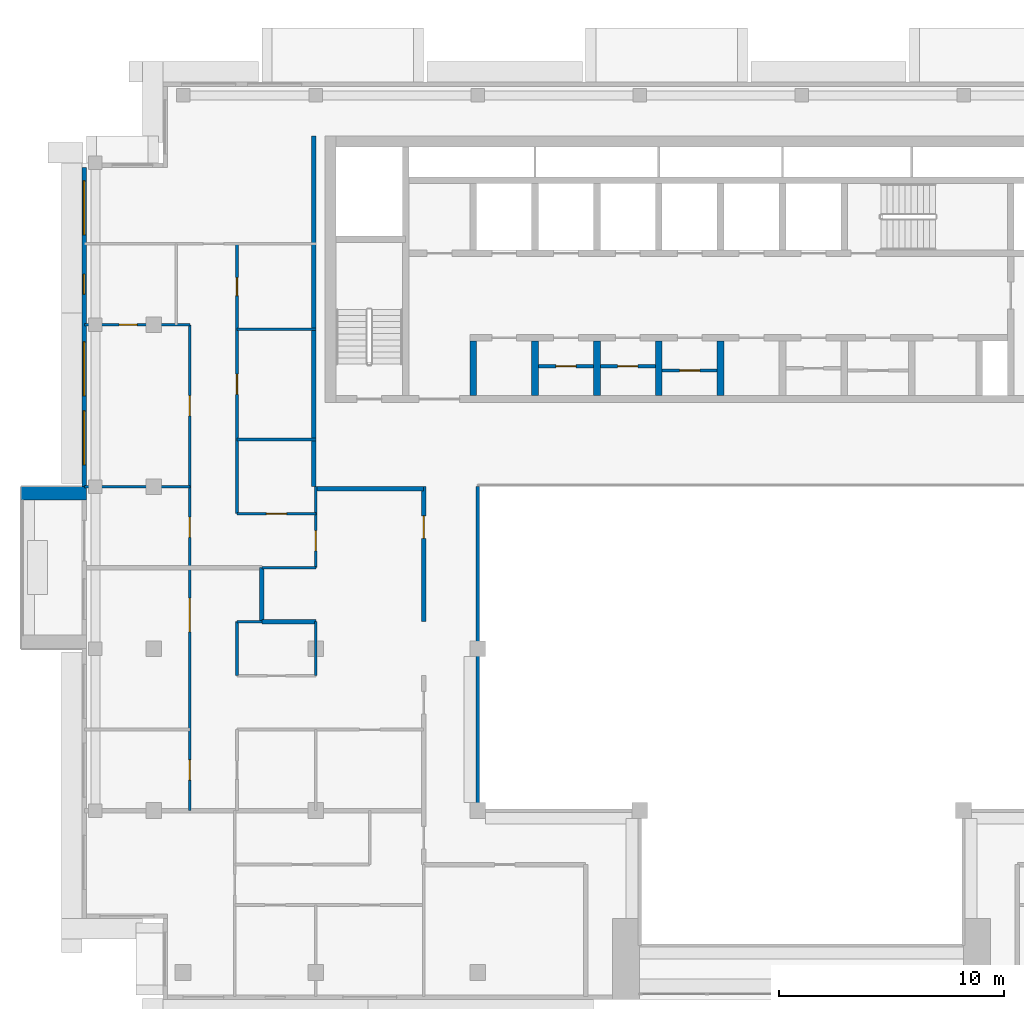
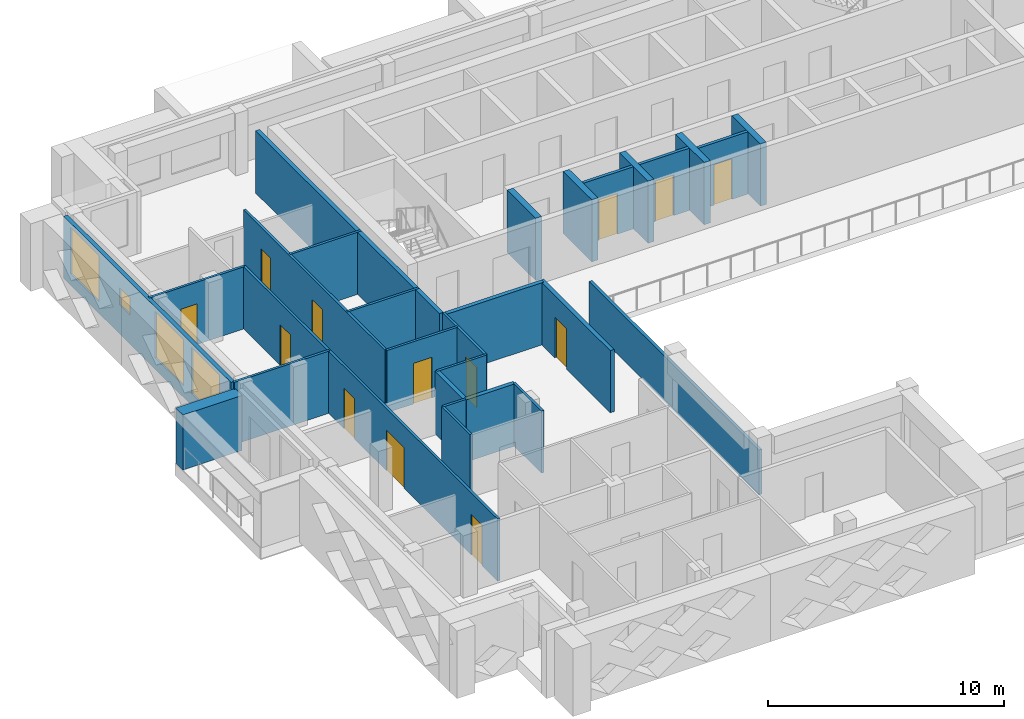
# One storey, part 7 of 18: 28 walls, 13 doors, 4 windows, 17 openings.
"""IFC4 building model written with IfcOpenShell, lengths in metres."""

import ifcopenshell
import ifcopenshell.guid

model = None  # the IFC model being written
_history = None  # IfcOwnerHistory: only IFC2X3 demands one
_inside = {}  # id of a spatial element -> (the spatial element, [elements in it])
_under = {}  # id of a project, library or spatial element -> (it, [spatial elements below it])
_declared = {}  # id of a project -> (the project, [libraries it declares])
_typed = {}  # id of a type object -> (the type object, [elements of that type])
_made_of = {}  # id of a material, layer set ... -> (it, [elements and type objects made of it])


def new_model(schema):
    """Start an empty IFC model of exactly this schema.

    Asked for "IFC4X3", IfcOpenShell would pick the latest addendum, in which some entities
    have other attributes; the version numbers below select the first issue.
    IFC2X3 requires an IfcOwnerHistory on every rooted entity: one is made here for all.
    """
    global model, _history
    if schema == "IFC4X3":
        model = ifcopenshell.file(schema_version=(4, 3, 0, 0))
    else:
        model = ifcopenshell.file(schema=schema)
    _inside.clear()
    _under.clear()
    _declared.clear()
    _typed.clear()
    _made_of.clear()
    _history = None
    if model.schema == "IFC2X3":
        org = make("IfcOrganization", Name="unknown")
        user = make(
            "IfcPersonAndOrganization",
            ThePerson=make("IfcPerson", FamilyName="unknown"),
            TheOrganization=org,
        )
        app = make(
            "IfcApplication",
            ApplicationDeveloper=org,
            Version="unknown",
            ApplicationFullName="unknown",
            ApplicationIdentifier="unknown",
        )
        _history = make(
            "IfcOwnerHistory",
            OwningUser=user,
            OwningApplication=app,
            ChangeAction="ADDED",
            CreationDate=0,
        )
    return model


def make(cls, **values):
    """One entity of the class cls with the attributes given. An attribute that is None is left unset."""
    return model.create_entity(
        cls, **{name: value for name, value in values.items() if value is not None}
    )


def rooted(cls, **values):
    """An entity with a GlobalId (a new one), such as an element, a storey or a relation."""
    return make(cls, GlobalId=ifcopenshell.guid.new(), OwnerHistory=_history, **values)


def si_unit(unit_type, name, prefix=None):
    """IfcSIUnit, for example si_unit("LENGTHUNIT", "METRE", prefix="MILLI")."""
    return make("IfcSIUnit", UnitType=unit_type, Prefix=prefix, Name=name)


def assignment(units):
    """IfcUnitAssignment: the units of a project."""
    return None if units is None else make("IfcUnitAssignment", Units=units)


def point(xyz):
    """IfcCartesianPoint."""
    return None if xyz is None else make("IfcCartesianPoint", Coordinates=xyz)


def direction(xyz):
    """IfcDirection."""
    return None if xyz is None else make("IfcDirection", DirectionRatios=xyz)


def frame(location, z_axis=None, x_axis=None):
    """IfcAxis2Placement3D, a coordinate frame: its origin and axes. An axis left out is left unset."""
    return make(
        "IfcAxis2Placement3D",
        Location=point(location),
        Axis=direction(z_axis),
        RefDirection=direction(x_axis),
    )


def frame_2d(location, x_axis=None):
    """IfcAxis2Placement2D, a coordinate frame in the plane: its origin and x axis."""
    return make(
        "IfcAxis2Placement2D", Location=point(location), RefDirection=direction(x_axis)
    )


def origin():
    """The frame at (0, 0, 0) with its axes left unset."""
    return frame((0.0, 0.0, 0.0))


def place(relative_to, where):
    """IfcLocalPlacement: puts the frame where relative to a parent placement (None: the world)."""
    return make(
        "IfcLocalPlacement", PlacementRelTo=relative_to, RelativePlacement=where
    )


def context(
    kind, dimensions, precision=None, world=None, true_north=None, identifier=None
):
    """IfcGeometricRepresentationContext, for example the 3D "Model" context."""
    return make(
        "IfcGeometricRepresentationContext",
        ContextIdentifier=identifier,
        ContextType=kind,
        CoordinateSpaceDimension=dimensions,
        Precision=precision,
        WorldCoordinateSystem=world,
        TrueNorth=true_north,
    )


def subcontext(parent, identifier, kind, view, scale=None):
    """IfcGeometricRepresentationSubContext, for example "Body" below "Model"."""
    return make(
        "IfcGeometricRepresentationSubContext",
        ContextIdentifier=identifier,
        ContextType=kind,
        ParentContext=parent,
        TargetScale=scale,
        TargetView=view,
    )


def project(units=None, contexts=None):
    """IfcProject with its units and contexts."""
    return rooted(
        "IfcProject",
        Name="project",
        RepresentationContexts=contexts,
        UnitsInContext=assignment(units),
    )


def spatial(cls, under=None, at=None, **own):
    """A site, building, storey or space (cls), placed at a placement, below another one or the project."""
    s = rooted(cls, ObjectPlacement=at, **own)
    if under is not None:
        _under.setdefault(under.id(), (under, []))[1].append(s)
    return s


def profile(cls, at=None, kind="AREA", **sizes):
    """A parametric profile (cls). Its sizes go by their IFC names, for example OverallWidth=200.0."""
    return make(cls, ProfileType=kind, Position=at, **sizes)


def rectangle(**sizes):
    """IfcRectangleProfileDef."""
    return profile("IfcRectangleProfileDef", **sizes)


def extrude(swept, where, along, depth):
    """IfcExtrudedAreaSolid: the profile swept, set in the frame where, extruded along a direction by depth."""
    return make(
        "IfcExtrudedAreaSolid",
        SweptArea=swept,
        Position=where,
        ExtrudedDirection=direction(along),
        Depth=depth,
    )


def shape(context_of_items, identifier, shape_type, items):
    """IfcShapeRepresentation: the items that make up one representation, for example the "Body"."""
    return make(
        "IfcShapeRepresentation",
        ContextOfItems=context_of_items,
        RepresentationIdentifier=identifier,
        RepresentationType=shape_type,
        Items=items,
    )


def material(Name=None, Category=None):
    """IfcMaterial."""
    return make("IfcMaterial", Name=Name, Category=Category)


def layer(
    of_material, thickness, ventilated=None, Name=None, Category=None, Priority=None
):
    """IfcMaterialLayer: one layer of a wall or slab, of a material (None: an air gap)."""
    return make(
        "IfcMaterialLayer",
        Material=of_material,
        LayerThickness=thickness,
        IsVentilated=ventilated,
        Name=Name,
        Category=Category,
        Priority=Priority,
    )


def layer_set(layers, Name=None):
    """IfcMaterialLayerSet."""
    return make("IfcMaterialLayerSet", MaterialLayers=layers, LayerSetName=Name)


def made_of(thing, what):
    """Note that an element or type object is made of a material, layer set ...; save() writes the relation."""
    if what is not None:
        _made_of.setdefault(what.id(), (what, []))[1].append(thing)
    return thing


def type_object(cls, material=None, **own):
    """A type object (cls), such as IfcWallType, which elements share."""
    return made_of(rooted(cls, **own), material)


def element(
    cls,
    number,
    at=None,
    inside=None,
    cuts=None,
    type_object=None,
    material=None,
    context=None,
    identifier="Body",
    shape_type=None,
    held_by="IfcProductDefinitionShape",
    body=None,
    shapes=None,
    **own,
):
    """One element of the class cls, such as IfcWall. Its Tag is "e" and its number.

    at: its placement. inside: the storey or other place that contains it. cuts: it is an
    opening in that element (IfcRelVoidsElement). A single representation is given by context,
    identifier, shape_type and body (its items); several are given by shapes. held_by: the class
    of the entity that holds the representations. save() writes the other relations.
    """
    e = rooted(cls, Tag="e%d" % number, ObjectPlacement=at, **own)
    if body is not None:
        shapes = [shape(context, identifier, shape_type, body)]
    if shapes is not None:
        e.Representation = make(held_by, Representations=shapes)
    if inside is not None:
        _inside.setdefault(inside.id(), (inside, []))[1].append(e)
    if cuts is not None:
        rooted(
            "IfcRelVoidsElement", RelatingBuildingElement=cuts, RelatedOpeningElement=e
        )
    if type_object is not None:
        _typed.setdefault(type_object.id(), (type_object, []))[1].append(e)
    return made_of(e, material)


def fill(opening, filler):
    """IfcRelFillsElement: the door or window that sits in an opening."""
    return rooted(
        "IfcRelFillsElement",
        RelatingOpeningElement=opening,
        RelatedBuildingElement=filler,
    )


def aggregate(whole, parts):
    """IfcRelAggregates: a whole, such as a stair, and the parts it consists of."""
    return rooted("IfcRelAggregates", RelatingObject=whole, RelatedObjects=parts)


def save(model, path):
    """Write the relations noted so far, then the file.

    IfcRelAggregates (storeys below a building ...), IfcRelContainedInSpatialStructure (elements
    in a storey), IfcRelDefinesByType, IfcRelAssociatesMaterial and IfcRelDeclares: one each for
    every whole, place, type object, material and project.
    """
    for whole, parts in _under.values():
        aggregate(whole, parts)
    for where, things in _inside.values():
        rooted(
            "IfcRelContainedInSpatialStructure",
            RelatedElements=things,
            RelatingStructure=where,
        )
    for kind, things in _typed.values():
        rooted("IfcRelDefinesByType", RelatedObjects=things, RelatingType=kind)
    for what, things in _made_of.values():
        rooted("IfcRelAssociatesMaterial", RelatedObjects=things, RelatingMaterial=what)
    for by, libraries in _declared.values():
        rooted("IfcRelDeclares", RelatingContext=by, RelatedDefinitions=libraries)
    model.write(path)


model = new_model("IFC4")

# Units and contexts
model_context = context("Model", 3, precision=1e-05, world=origin(), true_north=direction((0.0, 1.0)))
body_context = subcontext(model_context, "Body", "Model", "MODEL_VIEW")
ifc_project = project(units=[si_unit("LENGTHUNIT", "METRE"), si_unit("AREAUNIT", "SQUARE_METRE"), si_unit("VOLUMEUNIT", "CUBIC_METRE"), si_unit("PLANEANGLEUNIT", "RADIAN"), si_unit("MASSUNIT", "GRAM", prefix="KILO")], contexts=[model_context])

# Site, building, storey
site_placement = place(None, origin())
site = spatial("IfcSite", under=ifc_project, at=site_placement, CompositionType="ELEMENT")
building_placement = place(site_placement, origin())
building = spatial("IfcBuilding", under=site, at=building_placement, Name="Saffron Iwan Residences", CompositionType="ELEMENT")
storey_placement = place(building_placement, frame((0.0, 0.0, 257.0)))
storey = spatial("IfcBuildingStorey", under=building, at=storey_placement, Name="L69", CompositionType="ELEMENT", Elevation=257.0)

# Walls
ifc_material_1 = material(Name="Fire-rated glazing", Category="glass")
ifc_layer_1 = layer(ifc_material_1, 0.14990234375)
ifc_layer_set_1 = layer_set([ifc_layer_1], Name="Fire-rated glazing")
wall_type_1 = type_object("IfcWallType", Name="Atrium glazed screen 150", PredefinedType="SOLIDWALL", material=ifc_layer_set_1)
wall_1_placement = place(storey_placement, frame((36.0, 48.0, 0.0), z_axis=(0.0, 0.0, 1.0), x_axis=(0.0, 1.0, 0.0)))
element("IfcWall", 1, at=wall_1_placement, inside=storey, type_object=wall_type_1, Name="W-L69-SCREEN-v36-48", PredefinedType="SOLIDWALL", context=body_context, shape_type="SweptSolid", body=[
    extrude(rectangle(XDim=14.39990234375, YDim=0.14990234375, at=frame_2d((7.199951171875, 0.0))), origin(), (0.0, 0.0, 1.0), 2.320068359375),
])
ifc_material_2 = material(Name="Concrete C50/60 white painted", Category="concrete")
ifc_layer_2 = layer(ifc_material_2, 0.60009765625)
ifc_layer_set_2 = layer_set([ifc_layer_2], Name="Concrete C50/60 white painted")
wall_type_2 = type_object("IfcWallType", Name="BALCONY FIN 600", PredefinedType="SOLIDWALL", material=ifc_layer_set_2)
wall_2_placement = place(storey_placement, frame((18.60009765625, 62.10009765625, 0.0), z_axis=(0.0, 0.0, 1.0), x_axis=(-1.0, 0.0, 0.0)))
element("IfcWall", 2, at=wall_2_placement, inside=storey, type_object=wall_type_2, Name="Balcony fin L69 F8-0a", PredefinedType="SOLIDWALL", context=body_context, shape_type="SweptSolid", body=[
    extrude(rectangle(XDim=2.900146484375, YDim=0.60009765625, at=frame_2d((1.4501953125, 0.0))), origin(), (0.0, 0.0, 1.0), 2.85009765625),
])

# Wall, opening, door
ifc_material_3 = material(Name="Fire-rated plasterboard partition")
ifc_layer_3 = layer(ifc_material_3, 0.14990234375)
ifc_layer_set_3 = layer_set([ifc_layer_3], Name="Fire-rated plasterboard partition")
wall_type_3 = type_object("IfcWallType", Name="Core partition 150", PredefinedType="PARTITIONING", material=ifc_layer_set_3)
wall_3_placement = place(storey_placement, frame((38.699951171875, 67.759521484375, 0.0), z_axis=(0.0, 0.0, 1.0), x_axis=(1.0, 0.0, 0.0)))
wall_3 = element("IfcWall", 3, at=wall_3_placement, inside=storey, type_object=wall_type_3, Name="Core partition P01", PredefinedType="PARTITIONING", context=body_context, shape_type="SweptSolid", body=[
    extrude(rectangle(XDim=2.449951171875, YDim=0.14990234375, at=frame_2d((1.22509765625, 0.0))), origin(), (0.0, 0.0, 1.0), 3.219970703125),
])
opening_1_placement = place(wall_3_placement, frame((0.77490234375, 0.0, 0.0)))
opening_1 = element("IfcOpeningElement", 4, at=opening_1_placement, cuts=wall_3, Name="Opening SB", PredefinedType="OPENING", context=body_context, shape_type="SweptSolid", body=[
    extrude(rectangle(XDim=0.89990234375, YDim=2.10009765625, at=frame_2d((0.449951171875, 1.050048828125))), frame((0.0, 0.0849609375, 0.0), z_axis=(0.0, -1.0, 0.0), x_axis=(1.0, 0.0, 0.0)), (0.0, 0.0, 1.0), 0.169921875),
])
ifc_material_4 = material(Name="Steel fire door", Category="steel")
door_type_1 = type_object("IfcDoorType", Name="Store door 900", OperationType="NOTDEFINED", PredefinedType="DOOR", material=ifc_material_4)
door_1_placement = place(opening_1_placement, origin())
door_1 = element("IfcDoor", 5, at=door_1_placement, inside=storey, type_object=door_type_1, Name="Door Equipment store", OperationType="SINGLE_SWING_RIGHT", OverallHeight=2.10009765625, OverallWidth=0.89990234375, PredefinedType="DOOR", context=body_context, shape_type="SweptSolid", body=[
    extrude(rectangle(XDim=0.89990234375, YDim=2.10009765625, at=frame_2d((0.449951171875, 1.050048828125))), frame((0.0, 0.02490234375, 0.0), z_axis=(0.0, -1.0, 0.0), x_axis=(1.0, 0.0, 0.0)), (0.0, 0.0, 1.0), 0.050048828125),
])
fill(opening_1, door_1)

wall_4_placement = place(storey_placement, frame((41.449951171875, 67.759521484375, 0.0), z_axis=(0.0, 0.0, 1.0), x_axis=(1.0, 0.0, 0.0)))
wall_4 = element("IfcWall", 6, at=wall_4_placement, inside=storey, type_object=wall_type_3, Name="Core partition P02", PredefinedType="PARTITIONING", context=body_context, shape_type="SweptSolid", body=[
    extrude(rectangle(XDim=2.449951171875, YDim=0.14990234375, at=frame_2d((1.22509765625, 0.0))), origin(), (0.0, 0.0, 1.0), 3.219970703125),
])
opening_2_placement = place(wall_4_placement, frame((0.77490234375, 0.0, 0.0)))
opening_2 = element("IfcOpeningElement", 7, at=opening_2_placement, cuts=wall_4, Name="Opening SB", PredefinedType="OPENING", context=body_context, shape_type="SweptSolid", body=[
    extrude(rectangle(XDim=0.89990234375, YDim=2.10009765625, at=frame_2d((0.449951171875, 1.050048828125))), frame((0.0, 0.0849609375, 0.0), z_axis=(0.0, -1.0, 0.0), x_axis=(1.0, 0.0, 0.0)), (0.0, 0.0, 1.0), 0.169921875),
])
door_2_placement = place(opening_2_placement, origin())
door_2 = element("IfcDoor", 8, at=door_2_placement, inside=storey, type_object=door_type_1, Name="Door Mop store", OperationType="SINGLE_SWING_LEFT", OverallHeight=2.10009765625, OverallWidth=0.89990234375, PredefinedType="DOOR", context=body_context, shape_type="SweptSolid", body=[
    extrude(rectangle(XDim=0.89990234375, YDim=2.10009765625, at=frame_2d((0.449951171875, 1.050048828125))), frame((0.0, 0.02490234375, 0.0), z_axis=(0.0, -1.0, 0.0), x_axis=(1.0, 0.0, 0.0)), (0.0, 0.0, 1.0), 0.050048828125),
])
fill(opening_2, door_2)

wall_5_placement = place(storey_placement, frame((44.199951171875, 67.5654296875, 0.0), z_axis=(0.0, 0.0, 1.0), x_axis=(1.0, 0.0, 0.0)))
wall_5 = element("IfcWall", 9, at=wall_5_placement, inside=storey, type_object=wall_type_3, Name="Core partition P03", PredefinedType="PARTITIONING", context=body_context, shape_type="SweptSolid", body=[
    extrude(rectangle(XDim=2.449951171875, YDim=0.14990234375, at=frame_2d((1.22509765625, 0.0))), origin(), (0.0, 0.0, 1.0), 3.219970703125),
])
opening_3_placement = place(wall_5_placement, frame((0.77490234375, 0.0, 0.0)))
opening_3 = element("IfcOpeningElement", 10, at=opening_3_placement, cuts=wall_5, Name="Opening SB", PredefinedType="OPENING", context=body_context, shape_type="SweptSolid", body=[
    extrude(rectangle(XDim=0.89990234375, YDim=2.10009765625, at=frame_2d((0.449951171875, 1.050048828125))), frame((0.0, 0.0849609375, 0.0), z_axis=(0.0, -1.0, 0.0), x_axis=(1.0, 0.0, 0.0)), (0.0, 0.0, 1.0), 0.169921875),
])
door_3_placement = place(opening_3_placement, origin())
door_3 = element("IfcDoor", 11, at=door_3_placement, inside=storey, type_object=door_type_1, Name="Door Spares store", OperationType="SINGLE_SWING_LEFT", OverallHeight=2.10009765625, OverallWidth=0.89990234375, PredefinedType="DOOR", context=body_context, shape_type="SweptSolid", body=[
    extrude(rectangle(XDim=0.89990234375, YDim=2.10009765625, at=frame_2d((0.449951171875, 1.050048828125))), frame((0.0, 0.02490234375, 0.0), z_axis=(0.0, -1.0, 0.0), x_axis=(1.0, 0.0, 0.0)), (0.0, 0.0, 1.0), 0.050048828125),
])
fill(opening_3, door_3)

# Wall, openings, windows
ifc_material_5 = material(Name="Concrete C40/50", Category="concrete")
ifc_layer_4 = layer(ifc_material_5, 0.199951171875)
ifc_layer_set_4 = layer_set([ifc_layer_4], Name="Concrete C40/50")
wall_type_4 = type_object("IfcWallType", Name="EXTERNAL WALL 200", PredefinedType="SOLIDWALL", material=ifc_layer_set_4)
wall_6_placement = place(storey_placement, frame((18.5, 76.60009765625, 0.0), z_axis=(0.0, 0.0, 1.0), x_axis=(0.0, -1.0, 0.0)))
wall_6 = element("IfcWall", 12, at=wall_6_placement, inside=storey, type_object=wall_type_4, Name="External wall L69 F8.0", PredefinedType="SOLIDWALL", context=body_context, shape_type="SweptSolid", body=[
    extrude(rectangle(XDim=14.2001953125, YDim=0.199951171875, at=frame_2d((7.10009765625, 0.0))), origin(), (0.0, 0.0, 1.0), 3.219970703125),
])
opening_4_placement = place(wall_6_placement, frame((7.7666015625, 0.0, 0.60009765625)))
opening_4 = element("IfcOpeningElement", 13, at=opening_4_placement, cuts=wall_6, Name="Opening W1", PredefinedType="OPENING", context=body_context, shape_type="SweptSolid", body=[
    extrude(rectangle(XDim=2.39990234375, YDim=2.39990234375, at=frame_2d((1.199951171875, 1.199951171875))), frame((0.0, 0.10986328125, 0.0), z_axis=(0.0, -1.0, 0.0), x_axis=(1.0, 0.0, 0.0)), (0.0, 0.0, 1.0), 0.219970703125),
])
opening_5_placement = place(wall_6_placement, frame((10.833251953125, 0.0, 0.60009765625)))
opening_5 = element("IfcOpeningElement", 14, at=opening_5_placement, cuts=wall_6, Name="Opening W1", PredefinedType="OPENING", context=body_context, shape_type="SweptSolid", body=[
    extrude(rectangle(XDim=2.39990234375, YDim=2.39990234375, at=frame_2d((1.199951171875, 1.199951171875))), frame((0.0, 0.10986328125, 0.0), z_axis=(0.0, -1.0, 0.0), x_axis=(1.0, 0.0, 0.0)), (0.0, 0.0, 1.0), 0.219970703125),
])
opening_6_placement = place(wall_6_placement, frame((4.75, 0.0, 1.5)))
opening_6 = element("IfcOpeningElement", 15, at=opening_6_placement, cuts=wall_6, Name="Opening W6", PredefinedType="OPENING", context=body_context, shape_type="SweptSolid", body=[
    extrude(rectangle(XDim=0.89990234375, YDim=0.89990234375, at=frame_2d((0.449951171875, 0.449951171875))), frame((0.0, 0.10986328125, 0.0), z_axis=(0.0, -1.0, 0.0), x_axis=(1.0, 0.0, 0.0)), (0.0, 0.0, 1.0), 0.219970703125),
])
opening_7_placement = place(wall_6_placement, frame((0.60009765625, 0.0, 0.60009765625)))
opening_7 = element("IfcOpeningElement", 16, at=opening_7_placement, cuts=wall_6, Name="Opening W1", PredefinedType="OPENING", context=body_context, shape_type="SweptSolid", body=[
    extrude(rectangle(XDim=2.39990234375, YDim=2.39990234375, at=frame_2d((1.199951171875, 1.199951171875))), frame((0.0, 0.10986328125, 0.0), z_axis=(0.0, -1.0, 0.0), x_axis=(1.0, 0.0, 0.0)), (0.0, 0.0, 1.0), 0.219970703125),
])
ifc_material_6 = material(Name="Clear glass, laminated double glazed", Category="glass")
window_type_1 = type_object("IfcWindowType", Name="WINDOW 2400 x 2400", PartitioningType="DOUBLE_PANEL_VERTICAL", PredefinedType="WINDOW", material=ifc_material_6)
window_1_placement = place(opening_4_placement, origin())
window_1 = element("IfcWindow", 17, at=window_1_placement, inside=storey, type_object=window_type_1, Name="Window L69 F8.0", OverallHeight=2.39990234375, OverallWidth=2.39990234375, PartitioningType="DOUBLE_PANEL_VERTICAL", PredefinedType="WINDOW", context=body_context, shape_type="SweptSolid", body=[
    extrude(rectangle(XDim=2.39990234375, YDim=2.39990234375, at=frame_2d((1.199951171875, 1.199951171875))), frame((0.0, 0.030029296875, 0.0), z_axis=(0.0, -1.0, 0.0), x_axis=(1.0, 0.0, 0.0)), (0.0, 0.0, 1.0), 0.06005859375),
])
fill(opening_4, window_1)
window_2_placement = place(opening_5_placement, origin())
window_2 = element("IfcWindow", 18, at=window_2_placement, inside=storey, type_object=window_type_1, Name="Window L69 F8.1", OverallHeight=2.39990234375, OverallWidth=2.39990234375, PartitioningType="DOUBLE_PANEL_VERTICAL", PredefinedType="WINDOW", context=body_context, shape_type="SweptSolid", body=[
    extrude(rectangle(XDim=2.39990234375, YDim=2.39990234375, at=frame_2d((1.199951171875, 1.199951171875))), frame((0.0, 0.030029296875, 0.0), z_axis=(0.0, -1.0, 0.0), x_axis=(1.0, 0.0, 0.0)), (0.0, 0.0, 1.0), 0.06005859375),
])
fill(opening_5, window_2)
window_3_placement = place(opening_7_placement, origin())
window_3 = element("IfcWindow", 19, at=window_3_placement, inside=storey, type_object=window_type_1, Name="Window L69 F8.3", OverallHeight=2.39990234375, OverallWidth=2.39990234375, PartitioningType="DOUBLE_PANEL_VERTICAL", PredefinedType="WINDOW", context=body_context, shape_type="SweptSolid", body=[
    extrude(rectangle(XDim=2.39990234375, YDim=2.39990234375, at=frame_2d((1.199951171875, 1.199951171875))), frame((0.0, 0.030029296875, 0.0), z_axis=(0.0, -1.0, 0.0), x_axis=(1.0, 0.0, 0.0)), (0.0, 0.0, 1.0), 0.06005859375),
])
fill(opening_7, window_3)
window_type_2 = type_object("IfcWindowType", Name="WINDOW 900 x 900 BATH", PartitioningType="SINGLE_PANEL", PredefinedType="WINDOW", material=ifc_material_6)
window_4_placement = place(opening_6_placement, origin())
window_4 = element("IfcWindow", 20, at=window_4_placement, inside=storey, type_object=window_type_2, Name="Window L69 F8.2", OverallHeight=0.89990234375, OverallWidth=0.89990234375, PartitioningType="SINGLE_PANEL", PredefinedType="WINDOW", context=body_context, shape_type="SweptSolid", body=[
    extrude(rectangle(XDim=0.89990234375, YDim=0.89990234375, at=frame_2d((0.449951171875, 0.449951171875))), frame((0.0, 0.030029296875, 0.0), z_axis=(0.0, -1.0, 0.0), x_axis=(1.0, 0.0, 0.0)), (0.0, 0.0, 1.0), 0.06005859375),
])
fill(opening_6, window_4)

# Walls
ifc_material_7 = material(Name="Fire-rated gypsum board wall")
ifc_layer_5 = layer(ifc_material_7, 0.199951171875)
ifc_layer_set_5 = layer_set([ifc_layer_5], Name="Fire-rated gypsum board wall")
wall_type_5 = type_object("IfcWallType", Name="Flat demising wall 200", PredefinedType="SOLIDWALL", material=ifc_layer_set_5)
for number, where, z_axis, x_axis, name in (
    (21, (26.39990234375, 56.39990234375, 0.0), (0.0, 0.0, 1.0), (1.0, 0.0, 0.0), "W-L69-DEMISE-h56.4-26.4"),
    (22, (26.39990234375, 56.39990234375, 0.0), (0.0, 0.0, 1.0), (0.0, 1.0, 0.0), "W-L69-DEMISE-v26.4-56.4"),
):
    element("IfcWall", number, at=place(storey_placement, frame(where, z_axis=z_axis, x_axis=x_axis)), inside=storey, type_object=wall_type_5, Name=name, PredefinedType="SOLIDWALL", context=body_context, shape_type="SweptSolid", body=[
        extrude(rectangle(XDim=2.400146484375, YDim=0.199951171875, at=frame_2d((1.2001953125, 0.0))), origin(), (0.0, 0.0, 1.0), 3.219970703125),
    ])
ifc_material_8 = material(Name="Gypsum board partition")
ifc_layer_6 = layer(ifc_material_8, 0.1201171875)
ifc_layer_set_6 = layer_set([ifc_layer_6], Name="Gypsum board partition")
wall_type_6 = type_object("IfcWallType", Name="Flat partition 120", PredefinedType="PARTITIONING", material=ifc_layer_set_6)
wall_7_placement = place(storey_placement, frame((25.300048828125, 56.39990234375, 0.0), z_axis=(0.0, 0.0, 1.0), x_axis=(1.0, 0.0, 0.0)))
element("IfcWall", 23, at=wall_7_placement, inside=storey, type_object=wall_type_6, Name="W-L69-PART-h56.4-25.3", PredefinedType="PARTITIONING", context=body_context, shape_type="SweptSolid", body=[
    extrude(rectangle(XDim=1.099853515625, YDim=0.1201171875, at=frame_2d((0.5498046875, 0.0))), origin(), (0.0, 0.0, 1.0), 3.219970703125),
])
wall_8_placement = place(storey_placement, frame((26.39990234375, 58.800048828125, 0.0), z_axis=(0.0, 0.0, 1.0), x_axis=(1.0, 0.0, 0.0)))
element("IfcWall", 24, at=wall_8_placement, inside=storey, type_object=wall_type_6, Name="W-L69-PART-h58.8-26.4", PredefinedType="PARTITIONING", context=body_context, shape_type="SweptSolid", body=[
    extrude(rectangle(XDim=2.400146484375, YDim=0.1201171875, at=frame_2d((1.2001953125, 0.0))), origin(), (0.0, 0.0, 1.0), 3.219970703125),
])

# Wall, opening, door
wall_9_placement = place(storey_placement, frame((25.300048828125, 61.199951171875, 0.0), z_axis=(0.0, 0.0, 1.0), x_axis=(1.0, 0.0, 0.0)))
wall_9 = element("IfcWall", 25, at=wall_9_placement, inside=storey, type_object=wall_type_6, Name="W-L69-PART-h61.2-25.3", PredefinedType="PARTITIONING", context=body_context, shape_type="SweptSolid", body=[
    extrude(rectangle(XDim=3.5, YDim=0.1201171875, at=frame_2d((1.75, 0.0))), origin(), (0.0, 0.0, 1.0), 3.219970703125),
])
opening_8_placement = place(wall_9_placement, frame((1.300048828125, 0.0, 0.0)))
opening_8 = element("IfcOpeningElement", 26, at=opening_8_placement, cuts=wall_9, Name="Opening FD2", PredefinedType="OPENING", context=body_context, shape_type="SweptSolid", body=[
    extrude(rectangle(XDim=0.89990234375, YDim=2.10009765625, at=frame_2d((0.449951171875, 1.050048828125))), frame((0.0, 0.070068359375, 0.0), z_axis=(0.0, -1.0, 0.0), x_axis=(1.0, 0.0, 0.0)), (0.0, 0.0, 1.0), 0.14013671875),
])
ifc_material_9 = material(Name="Timber door", Category="wood")
door_type_2 = type_object("IfcDoorType", Name="Flat door 900", OperationType="NOTDEFINED", PredefinedType="DOOR", material=ifc_material_9)
door_4_placement = place(opening_8_placement, origin())
door_4 = element("IfcDoor", 27, at=door_4_placement, inside=storey, type_object=door_type_2, Name="Door L69-026", OperationType="SINGLE_SWING_LEFT", OverallHeight=2.10009765625, OverallWidth=0.89990234375, PredefinedType="DOOR", context=body_context, shape_type="SweptSolid", body=[
    extrude(rectangle(XDim=0.89990234375, YDim=2.10009765625, at=frame_2d((0.449951171875, 1.050048828125))), frame((0.0, 0.02490234375, 0.0), z_axis=(0.0, -1.0, 0.0), x_axis=(1.0, 0.0, 0.0)), (0.0, 0.0, 1.0), 0.050048828125),
])
fill(opening_8, door_4)

# Walls
wall_10_placement = place(storey_placement, frame((18.52490234375, 62.39990234375, 0.0), z_axis=(0.0, 0.0, 1.0), x_axis=(1.0, 0.0, 0.0)))
element("IfcWall", 28, at=wall_10_placement, inside=storey, type_object=wall_type_6, Name="W-L69-PART-h62.4-18.525", PredefinedType="PARTITIONING", context=body_context, shape_type="SweptSolid", body=[
    extrude(rectangle(XDim=4.675048828125, YDim=0.1201171875, at=frame_2d((2.33740234375, 0.0))), origin(), (0.0, 0.0, 1.0), 3.219970703125),
])
for number, where, z_axis, x_axis, name in (
    (29, (25.300048828125, 64.5, 0.0), (0.0, 0.0, 1.0), (1.0, 0.0, 0.0), "W-L69-PART-h64.5-25.3"),
    (30, (25.300048828125, 69.39990234375, 0.0), (0.0, 0.0, 1.0), (1.0, 0.0, 0.0), "W-L69-PART-h69.4-25.3"),
):
    element("IfcWall", number, at=place(storey_placement, frame(where, z_axis=z_axis, x_axis=x_axis)), inside=storey, type_object=wall_type_6, Name=name, PredefinedType="PARTITIONING", context=body_context, shape_type="SweptSolid", body=[
        extrude(rectangle(XDim=3.5, YDim=0.1201171875, at=frame_2d((1.75, 0.0))), origin(), (0.0, 0.0, 1.0), 3.219970703125),
    ])

# Wall, opening, door
wall_11_placement = place(storey_placement, frame((18.52490234375, 69.60009765625, 0.0), z_axis=(0.0, 0.0, 1.0), x_axis=(1.0, 0.0, 0.0)))
wall_11 = element("IfcWall", 31, at=wall_11_placement, inside=storey, type_object=wall_type_6, Name="W-L69-PART-h69.6-18.525", PredefinedType="PARTITIONING", context=body_context, shape_type="SweptSolid", body=[
    extrude(rectangle(XDim=4.675048828125, YDim=0.1201171875, at=frame_2d((2.33740234375, 0.0))), origin(), (0.0, 0.0, 1.0), 3.219970703125),
])
opening_9_placement = place(wall_11_placement, frame((1.53759765625, 0.0, 0.0)))
opening_9 = element("IfcOpeningElement", 32, at=opening_9_placement, cuts=wall_11, Name="Opening FD3", PredefinedType="OPENING", context=body_context, shape_type="SweptSolid", body=[
    extrude(rectangle(XDim=0.800048828125, YDim=2.10009765625, at=frame_2d((0.39990234375, 1.050048828125))), frame((0.0, 0.070068359375, 0.0), z_axis=(0.0, -1.0, 0.0), x_axis=(1.0, 0.0, 0.0)), (0.0, 0.0, 1.0), 0.14013671875),
])
door_type_3 = type_object("IfcDoorType", Name="Bathroom door 800", OperationType="NOTDEFINED", PredefinedType="DOOR", material=ifc_material_9)
door_5_placement = place(opening_9_placement, origin())
door_5 = element("IfcDoor", 33, at=door_5_placement, inside=storey, type_object=door_type_3, Name="Door L69-024", OperationType="SINGLE_SWING_RIGHT", OverallHeight=2.10009765625, OverallWidth=0.800048828125, PredefinedType="DOOR", context=body_context, shape_type="SweptSolid", body=[
    extrude(rectangle(XDim=0.800048828125, YDim=2.10009765625, at=frame_2d((0.39990234375, 1.050048828125))), frame((0.0, 0.02490234375, 0.0), z_axis=(0.0, -1.0, 0.0), x_axis=(1.0, 0.0, 0.0)), (0.0, 0.0, 1.0), 0.050048828125),
])
fill(opening_9, door_5)

# Wall, openings, doors
wall_12_placement = place(storey_placement, frame((23.199951171875, 48.0, 0.0), z_axis=(0.0, 0.0, 1.0), x_axis=(0.0, 1.0, 0.0)))
wall_12 = element("IfcWall", 34, at=wall_12_placement, inside=storey, type_object=wall_type_6, Name="W-L69-PART-v23.2-48", PredefinedType="PARTITIONING", context=body_context, shape_type="SweptSolid", body=[
    extrude(rectangle(XDim=21.60009765625, YDim=0.1201171875, at=frame_2d((10.800048828125, 0.0))), origin(), (0.0, 0.0, 1.0), 3.219970703125),
])
opening_10_placement = place(wall_12_placement, frame((1.35009765625, 0.0, 0.0)))
opening_10 = element("IfcOpeningElement", 35, at=opening_10_placement, cuts=wall_12, Name="Opening FD2", PredefinedType="OPENING", context=body_context, shape_type="SweptSolid", body=[
    extrude(rectangle(XDim=0.89990234375, YDim=2.10009765625, at=frame_2d((0.449951171875, 1.050048828125))), frame((0.0, 0.070068359375, 0.0), z_axis=(0.0, -1.0, 0.0), x_axis=(1.0, 0.0, 0.0)), (0.0, 0.0, 1.0), 0.14013671875),
])
opening_11_placement = place(wall_12_placement, frame((7.949951171875, 0.0, 0.0)))
opening_11 = element("IfcOpeningElement", 36, at=opening_11_placement, cuts=wall_12, Name="Opening FD4", PredefinedType="OPENING", context=body_context, shape_type="SweptSolid", body=[
    extrude(rectangle(XDim=1.5, YDim=2.10009765625, at=frame_2d((0.75, 1.050048828125))), frame((0.0, 0.070068359375, 0.0), z_axis=(0.0, -1.0, 0.0), x_axis=(1.0, 0.0, 0.0)), (0.0, 0.0, 1.0), 0.14013671875),
])
opening_12_placement = place(wall_12_placement, frame((12.14990234375, 0.0, 0.0)))
opening_12 = element("IfcOpeningElement", 37, at=opening_12_placement, cuts=wall_12, Name="Opening FD2", PredefinedType="OPENING", context=body_context, shape_type="SweptSolid", body=[
    extrude(rectangle(XDim=0.89990234375, YDim=2.10009765625, at=frame_2d((0.449951171875, 1.050048828125))), frame((0.0, 0.070068359375, 0.0), z_axis=(0.0, -1.0, 0.0), x_axis=(1.0, 0.0, 0.0)), (0.0, 0.0, 1.0), 0.14013671875),
])
opening_13_placement = place(wall_12_placement, frame((17.550048828125, 0.0, 0.0)))
opening_13 = element("IfcOpeningElement", 38, at=opening_13_placement, cuts=wall_12, Name="Opening FD2", PredefinedType="OPENING", context=body_context, shape_type="SweptSolid", body=[
    extrude(rectangle(XDim=0.89990234375, YDim=2.10009765625, at=frame_2d((0.449951171875, 1.050048828125))), frame((0.0, 0.070068359375, 0.0), z_axis=(0.0, -1.0, 0.0), x_axis=(1.0, 0.0, 0.0)), (0.0, 0.0, 1.0), 0.14013671875),
])
door_type_4 = type_object("IfcDoorType", Name="Double door 1500", OperationType="NOTDEFINED", PredefinedType="DOOR", material=ifc_material_9)
door_6_placement = place(opening_11_placement, origin())
door_6 = element("IfcDoor", 39, at=door_6_placement, inside=storey, type_object=door_type_4, Name="Door L69-009", OperationType="SINGLE_SWING_RIGHT", OverallHeight=2.10009765625, OverallWidth=1.5, PredefinedType="DOOR", context=body_context, shape_type="SweptSolid", body=[
    extrude(rectangle(XDim=1.5, YDim=2.10009765625, at=frame_2d((0.75, 1.050048828125))), frame((0.0, 0.02490234375, 0.0), z_axis=(0.0, -1.0, 0.0), x_axis=(1.0, 0.0, 0.0)), (0.0, 0.0, 1.0), 0.050048828125),
])
fill(opening_11, door_6)
door_7_placement = place(opening_10_placement, origin())
door_7 = element("IfcDoor", 40, at=door_7_placement, inside=storey, type_object=door_type_2, Name="Door L69-008", OperationType="SINGLE_SWING_LEFT", OverallHeight=2.10009765625, OverallWidth=0.89990234375, PredefinedType="DOOR", context=body_context, shape_type="SweptSolid", body=[
    extrude(rectangle(XDim=0.89990234375, YDim=2.10009765625, at=frame_2d((0.449951171875, 1.050048828125))), frame((0.0, 0.02490234375, 0.0), z_axis=(0.0, -1.0, 0.0), x_axis=(1.0, 0.0, 0.0)), (0.0, 0.0, 1.0), 0.050048828125),
])
fill(opening_10, door_7)
door_8_placement = place(opening_12_placement, origin())
door_8 = element("IfcDoor", 41, at=door_8_placement, inside=storey, type_object=door_type_2, Name="Door L69-022", OperationType="SINGLE_SWING_RIGHT", OverallHeight=2.10009765625, OverallWidth=0.89990234375, PredefinedType="DOOR", context=body_context, shape_type="SweptSolid", body=[
    extrude(rectangle(XDim=0.89990234375, YDim=2.10009765625, at=frame_2d((0.449951171875, 1.050048828125))), frame((0.0, 0.02490234375, 0.0), z_axis=(0.0, -1.0, 0.0), x_axis=(1.0, 0.0, 0.0)), (0.0, 0.0, 1.0), 0.050048828125),
])
fill(opening_12, door_8)
door_9_placement = place(opening_13_placement, origin())
door_9 = element("IfcDoor", 42, at=door_9_placement, inside=storey, type_object=door_type_2, Name="Door L69-023", OperationType="SINGLE_SWING_LEFT", OverallHeight=2.10009765625, OverallWidth=0.89990234375, PredefinedType="DOOR", context=body_context, shape_type="SweptSolid", body=[
    extrude(rectangle(XDim=0.89990234375, YDim=2.10009765625, at=frame_2d((0.449951171875, 1.050048828125))), frame((0.0, 0.02490234375, 0.0), z_axis=(0.0, -1.0, 0.0), x_axis=(1.0, 0.0, 0.0)), (0.0, 0.0, 1.0), 0.050048828125),
])
fill(opening_13, door_9)

# Wall
wall_13_placement = place(storey_placement, frame((25.300048828125, 54.0, 0.0), z_axis=(0.0, 0.0, 1.0), x_axis=(0.0, 1.0, 0.0)))
element("IfcWall", 43, at=wall_13_placement, inside=storey, type_object=wall_type_6, Name="W-L69-PART-v25.3-54", PredefinedType="PARTITIONING", context=body_context, shape_type="SweptSolid", body=[
    extrude(rectangle(XDim=2.39990234375, YDim=0.1201171875, at=frame_2d((1.199951171875, 0.0))), origin(), (0.0, 0.0, 1.0), 3.219970703125),
])

# Wall, openings, doors
wall_14_placement = place(storey_placement, frame((25.300048828125, 61.199951171875, 0.0), z_axis=(0.0, 0.0, 1.0), x_axis=(0.0, 1.0, 0.0)))
wall_14 = element("IfcWall", 44, at=wall_14_placement, inside=storey, type_object=wall_type_6, Name="W-L69-PART-v25.3-61.2", PredefinedType="PARTITIONING", context=body_context, shape_type="SweptSolid", body=[
    extrude(rectangle(XDim=12.0, YDim=0.1201171875, at=frame_2d((6.0, 0.0))), origin(), (0.0, 0.0, 1.0), 3.219970703125),
])
opening_14_placement = place(wall_14_placement, frame((5.300048828125, 0.0, 0.0)))
opening_14 = element("IfcOpeningElement", 45, at=opening_14_placement, cuts=wall_14, Name="Opening FD2", PredefinedType="OPENING", context=body_context, shape_type="SweptSolid", body=[
    extrude(rectangle(XDim=0.89990234375, YDim=2.10009765625, at=frame_2d((0.449951171875, 1.050048828125))), frame((0.0, 0.070068359375, 0.0), z_axis=(0.0, -1.0, 0.0), x_axis=(1.0, 0.0, 0.0)), (0.0, 0.0, 1.0), 0.14013671875),
])
opening_15_placement = place(wall_14_placement, frame((9.699951171875, 0.0, 0.0)))
opening_15 = element("IfcOpeningElement", 46, at=opening_15_placement, cuts=wall_14, Name="Opening FD3", PredefinedType="OPENING", context=body_context, shape_type="SweptSolid", body=[
    extrude(rectangle(XDim=0.800048828125, YDim=2.10009765625, at=frame_2d((0.39990234375, 1.050048828125))), frame((0.0, 0.070068359375, 0.0), z_axis=(0.0, -1.0, 0.0), x_axis=(1.0, 0.0, 0.0)), (0.0, 0.0, 1.0), 0.14013671875),
])
door_10_placement = place(opening_15_placement, origin())
door_10 = element("IfcDoor", 47, at=door_10_placement, inside=storey, type_object=door_type_3, Name="Door L69-028", OperationType="SINGLE_SWING_RIGHT", OverallHeight=2.10009765625, OverallWidth=0.800048828125, PredefinedType="DOOR", context=body_context, shape_type="SweptSolid", body=[
    extrude(rectangle(XDim=0.800048828125, YDim=2.10009765625, at=frame_2d((0.39990234375, 1.050048828125))), frame((0.0, 0.02490234375, 0.0), z_axis=(0.0, -1.0, 0.0), x_axis=(1.0, 0.0, 0.0)), (0.0, 0.0, 1.0), 0.050048828125),
])
fill(opening_15, door_10)
door_11_placement = place(opening_14_placement, origin())
door_11 = element("IfcDoor", 48, at=door_11_placement, inside=storey, type_object=door_type_2, Name="Door L69-027", OperationType="SINGLE_SWING_LEFT", OverallHeight=2.10009765625, OverallWidth=0.89990234375, PredefinedType="DOOR", context=body_context, shape_type="SweptSolid", body=[
    extrude(rectangle(XDim=0.89990234375, YDim=2.10009765625, at=frame_2d((0.449951171875, 1.050048828125))), frame((0.0, 0.02490234375, 0.0), z_axis=(0.0, -1.0, 0.0), x_axis=(1.0, 0.0, 0.0)), (0.0, 0.0, 1.0), 0.050048828125),
])
fill(opening_14, door_11)

# Wall
wall_15_placement = place(storey_placement, frame((28.800048828125, 54.0, 0.0), z_axis=(0.0, 0.0, 1.0), x_axis=(0.0, 1.0, 0.0)))
element("IfcWall", 49, at=wall_15_placement, inside=storey, type_object=wall_type_6, Name="W-L69-PART-v28.8-54", PredefinedType="PARTITIONING", context=body_context, shape_type="SweptSolid", body=[
    extrude(rectangle(XDim=2.39990234375, YDim=0.1201171875, at=frame_2d((1.199951171875, 0.0))), origin(), (0.0, 0.0, 1.0), 3.219970703125),
])

# Wall, opening, door
wall_16_placement = place(storey_placement, frame((28.800048828125, 58.800048828125, 0.0), z_axis=(0.0, 0.0, 1.0), x_axis=(0.0, 1.0, 0.0)))
wall_16 = element("IfcWall", 50, at=wall_16_placement, inside=storey, type_object=wall_type_6, Name="W-L69-PART-v28.8-58.8", PredefinedType="PARTITIONING", context=body_context, shape_type="SweptSolid", body=[
    extrude(rectangle(XDim=3.599853515625, YDim=0.1201171875, at=frame_2d((1.7998046875, 0.0))), origin(), (0.0, 0.0, 1.0), 3.219970703125),
])
opening_16_placement = place(wall_16_placement, frame((0.75, 0.0, 0.0)))
opening_16 = element("IfcOpeningElement", 51, at=opening_16_placement, cuts=wall_16, Name="Opening FD2", PredefinedType="OPENING", context=body_context, shape_type="SweptSolid", body=[
    extrude(rectangle(XDim=0.89990234375, YDim=2.10009765625, at=frame_2d((0.449951171875, 1.050048828125))), frame((0.0, 0.070068359375, 0.0), z_axis=(0.0, -1.0, 0.0), x_axis=(1.0, 0.0, 0.0)), (0.0, 0.0, 1.0), 0.14013671875),
])
door_12_placement = place(opening_16_placement, origin())
door_12 = element("IfcDoor", 52, at=door_12_placement, inside=storey, type_object=door_type_2, Name="Door L69-020", OperationType="SINGLE_SWING_LEFT", OverallHeight=2.10009765625, OverallWidth=0.89990234375, PredefinedType="DOOR", context=body_context, shape_type="SweptSolid", body=[
    extrude(rectangle(XDim=0.89990234375, YDim=2.10009765625, at=frame_2d((0.449951171875, 1.050048828125))), frame((0.0, 0.02490234375, 0.0), z_axis=(0.0, -1.0, 0.0), x_axis=(1.0, 0.0, 0.0)), (0.0, 0.0, 1.0), 0.050048828125),
])
fill(opening_16, door_12)

# Walls
ifc_layer_7 = layer(ifc_material_7, 0.199951171875)
ifc_layer_set_7 = layer_set([ifc_layer_7], Name="Fire-rated gypsum board wall")
wall_type_7 = type_object("IfcWallType", Name="Gallery wall 200", PredefinedType="SOLIDWALL", material=ifc_layer_set_7)
wall_17_placement = place(storey_placement, frame((28.800048828125, 62.300048828125, 0.0), z_axis=(0.0, 0.0, 1.0), x_axis=(1.0, 0.0, 0.0)))
element("IfcWall", 53, at=wall_17_placement, inside=storey, type_object=wall_type_7, Name="W-L69-CORR-h62.4-28.8", PredefinedType="SOLIDWALL", context=body_context, shape_type="SweptSolid", body=[
    extrude(rectangle(XDim=4.800048828125, YDim=0.199951171875, at=frame_2d((2.39990234375, 0.0))), origin(), (0.0, 0.0, 1.0), 3.219970703125),
])
wall_18_placement = place(storey_placement, frame((28.699951171875, 62.39990234375, 0.0), z_axis=(0.0, 0.0, 1.0), x_axis=(0.0, 1.0, 0.0)))
element("IfcWall", 54, at=wall_18_placement, inside=storey, type_object=wall_type_7, Name="W-L69-CORR-v28.8-62.4", PredefinedType="SOLIDWALL", context=body_context, shape_type="SweptSolid", body=[
    extrude(rectangle(XDim=15.60009765625, YDim=0.199951171875, at=frame_2d((7.800048828125, 0.0))), origin(), (0.0, 0.0, 1.0), 3.219970703125),
])

# Wall, opening, door
wall_19_placement = place(storey_placement, frame((33.60009765625, 56.39990234375, 0.0), z_axis=(0.0, 0.0, 1.0), x_axis=(0.0, 1.0, 0.0)))
wall_19 = element("IfcWall", 55, at=wall_19_placement, inside=storey, type_object=wall_type_7, Name="W-L69-CORR-v33.6-56.4", PredefinedType="SOLIDWALL", context=body_context, shape_type="SweptSolid", body=[
    extrude(rectangle(XDim=6.0, YDim=0.199951171875, at=frame_2d((3.0, 0.0))), origin(), (0.0, 0.0, 1.0), 3.219970703125),
])
opening_17_placement = place(wall_19_placement, frame((3.699951171875, 0.0, 0.0)))
opening_17 = element("IfcOpeningElement", 56, at=opening_17_placement, cuts=wall_19, Name="Opening FD5", PredefinedType="OPENING", context=body_context, shape_type="SweptSolid", body=[
    extrude(rectangle(XDim=1.0, YDim=2.10009765625, at=frame_2d((0.5, 1.050048828125))), frame((0.0, 0.10986328125, 0.0), z_axis=(0.0, -1.0, 0.0), x_axis=(1.0, 0.0, 0.0)), (0.0, 0.0, 1.0), 0.219970703125),
])
ifc_material_10 = material(Name="Fire-rated timber door", Category="wood")
door_type_5 = type_object("IfcDoorType", Name="Lobby door 1000", OperationType="NOTDEFINED", PredefinedType="DOOR", material=ifc_material_10)
door_13_placement = place(opening_17_placement, origin())
door_13 = element("IfcDoor", 57, at=door_13_placement, inside=storey, type_object=door_type_5, Name="Door L69-021", OperationType="SINGLE_SWING_LEFT", OverallHeight=2.10009765625, OverallWidth=1.0, PredefinedType="DOOR", context=body_context, shape_type="SweptSolid", body=[
    extrude(rectangle(XDim=1.0, YDim=2.10009765625, at=frame_2d((0.5, 1.050048828125))), frame((0.0, 0.02490234375, 0.0), z_axis=(0.0, -1.0, 0.0), x_axis=(1.0, 0.0, 0.0)), (0.0, 0.0, 1.0), 0.050048828125),
])
fill(opening_17, door_13)

# Walls
ifc_layer_8 = layer(ifc_material_5, 0.300048828125)
ifc_layer_set_8 = layer_set([ifc_layer_8], Name="Concrete C40/50")
wall_type_8 = type_object("IfcWallType", Name="WALL CORE 300 C40/50 3220 HIGH", PredefinedType="SHEAR", material=ifc_layer_set_8)
for number, where, z_axis, x_axis, name in (
    (58, (35.800048828125, 66.449951171875, 0.0), (0.0, 0.0, 1.0), (0.0, 1.0, 0.0), "Core wall"),
    (59, (38.550048828125, 66.449951171875, 0.0), (0.0, 0.0, 1.0), (0.0, 1.0, 0.0), "Core wall"),
    (60, (41.300048828125, 66.449951171875, 0.0), (0.0, 0.0, 1.0), (0.0, 1.0, 0.0), "Core wall"),
    (61, (44.050048828125, 66.449951171875, 0.0), (0.0, 0.0, 1.0), (0.0, 1.0, 0.0), "Core wall"),
    (62, (46.800048828125, 66.449951171875, 0.0), (0.0, 0.0, 1.0), (0.0, 1.0, 0.0), "Core wall"),
):
    element("IfcWall", number, at=place(storey_placement, frame(where, z_axis=z_axis, x_axis=x_axis)), inside=storey, type_object=wall_type_8, Name=name, PredefinedType="SHEAR", context=body_context, shape_type="SweptSolid", body=[
        extrude(rectangle(XDim=2.425048828125, YDim=0.300048828125, at=frame_2d((1.21240234375, 0.0))), origin(), (0.0, 0.0, 1.0), 3.219970703125),
    ])

save(model, "model.ifc")
